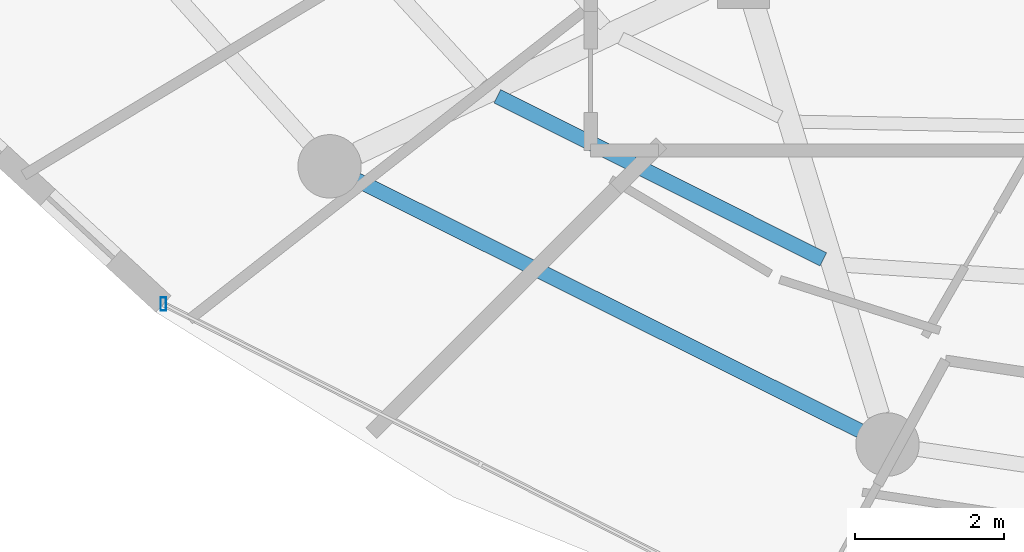
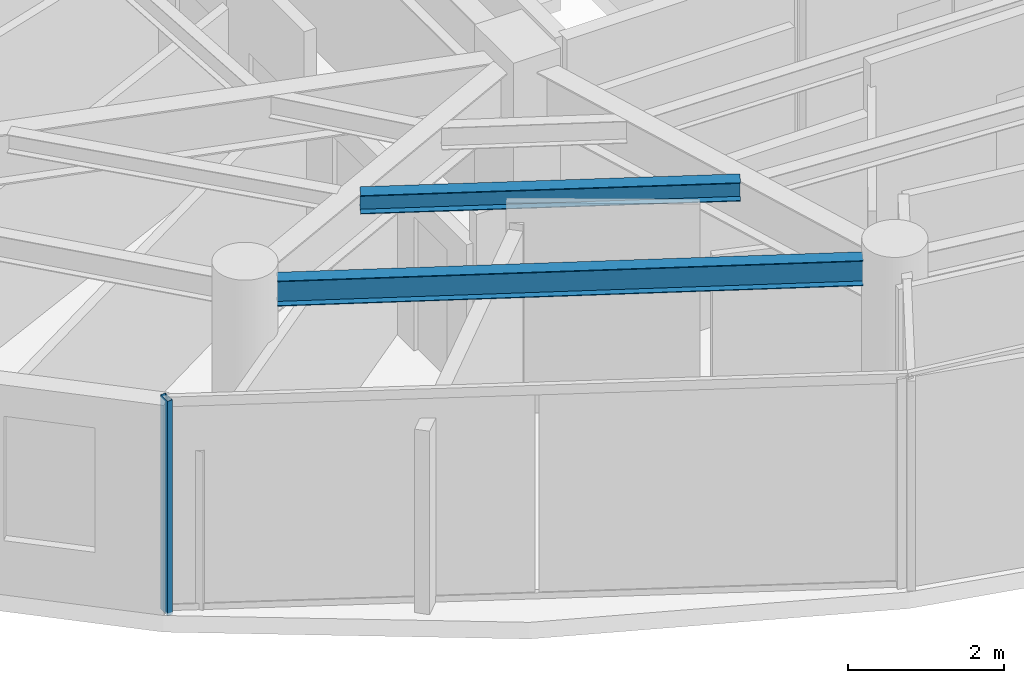
# One storey, part 2 of 29: 2 beams, 1 member, 1 element without a shape of its own.
"""IFC4 building model written with IfcOpenShell, lengths in metres."""

from ifc_helpers import new_model, si_unit, direction, frame, origin, origin_2d, place, context, subcontext, project, spatial, hollow_rectangle, i_section, extrude, material, material_profile, profile_set, type_object, element, aggregate, save


model = new_model("IFC4")

# Units and contexts
model_context = context("Model", 3, precision=1e-05, world=origin(), true_north=direction((0.0, 1.0)))
body_context = subcontext(model_context, "Body", "Model", "MODEL_VIEW")
ifc_project = project(units=[si_unit("LENGTHUNIT", "METRE"), si_unit("AREAUNIT", "SQUARE_METRE"), si_unit("VOLUMEUNIT", "CUBIC_METRE"), si_unit("PLANEANGLEUNIT", "RADIAN"), si_unit("MASSUNIT", "GRAM", prefix="KILO")], contexts=[model_context])

# Site, building, storey
site_placement = place(None, origin())
site = spatial("IfcSite", under=ifc_project, at=site_placement, CompositionType="ELEMENT")
building_placement = place(site_placement, origin())
building = spatial("IfcBuilding", under=site, at=building_placement, Name="Vorneva Point Tower", CompositionType="ELEMENT")
storey_placement = place(building_placement, frame((0.0, 0.0, 273.300048828125)))
storey = spatial("IfcBuildingStorey", under=building, at=storey_placement, Name="L74", CompositionType="ELEMENT", Elevation=273.300048828125)

# Beams
ifc_material_1 = material(Name="Steel S355", Category="steel")
ifc_material_profile_1 = material_profile(ifc_material_1, i_section(OverallWidth=0.199951171875, OverallDepth=0.291015625, WebThickness=0.008056640625, FlangeThickness=0.010986328125, at=origin_2d()), Name="30Sh1")
ifc_profile_set_1 = profile_set([ifc_material_profile_1], Name="Steel S355")
beam_type_1 = type_object("IfcBeamType", Name="BM-SEC-30Sh1", PredefinedType="BEAM", material=ifc_profile_set_1)
beam_1_placement = place(storey_placement, frame((23.95068359375, 14.77685546875, 3.14453125), z_axis=(0.894207228659, -0.447653249975, 0.0), x_axis=(0.447653249975, 0.894207228659, 0.0)))
element("IfcBeam", 1, at=beam_1_placement, inside=storey, type_object=beam_type_1, Name="L74 Secondary Floor Beam 1.11", PredefinedType="BEAM", context=body_context, shape_type="SweptSolid", body=[
    extrude(i_section(OverallWidth=0.199951171875, OverallDepth=0.291015625, WebThickness=0.008056640625, FlangeThickness=0.010986328125, at=origin_2d()), origin(), (0.0, 0.0, 1.0), 4.885986328125),
])
ifc_material_profile_2 = material_profile(ifc_material_1, i_section(OverallWidth=0.198974609375, OverallDepth=0.39599609375, WebThickness=0.007080078125, FlangeThickness=0.010986328125, at=origin_2d()), Name="40B1")
ifc_profile_set_2 = profile_set([ifc_material_profile_2], Name="Steel S355")
beam_type_2 = type_object("IfcBeamType", Name="BM-SPN-40B1", PredefinedType="SPANDREL", material=ifc_profile_set_2)
beam_2_placement = place(storey_placement, frame((22.068115234375, 13.65478515625, 3.092041015625), z_axis=(0.894932011528, -0.446202526599, 0.0), x_axis=(0.446202526599, 0.894932011528, 0.0)))
element("IfcBeam", 2, at=beam_2_placement, inside=storey, type_object=beam_type_2, Name="L74 Perimeter Spandrel Ring Beam 11", PredefinedType="SPANDREL", context=body_context, shape_type="SweptSolid", body=[
    extrude(i_section(OverallWidth=0.198974609375, OverallDepth=0.39599609375, WebThickness=0.007080078125, FlangeThickness=0.010986328125, at=origin_2d()), origin(), (0.0, 0.0, 1.0), 7.535888671875),
])

# Curtain wall, member
ifc_material_2 = material(Name="Pale anodised aluminium", Category="aluminium")
curtain_wall_type = type_object("IfcCurtainWallType", Name="CW-RES-SYS", PredefinedType="NOTDEFINED", material=ifc_material_2)
curtain_wall_placement = place(storey_placement, origin())
curtain_wall = element("IfcCurtainWall", 3, at=curtain_wall_placement, inside=storey, type_object=curtain_wall_type, Name="L74 Unitised Curtain Wall CW-L74-R04", PredefinedType="NOTDEFINED")
ifc_material_profile_3 = material_profile(ifc_material_2, hollow_rectangle(XDim=0.074951171875, YDim=0.179931640625, WallThickness=0.00390625, at=origin_2d()), Name="AL-MUL 180x75x4")
ifc_profile_set_3 = profile_set([ifc_material_profile_3], Name="Pale anodised aluminium")
member_type = type_object("IfcMemberType", Name="CW-MUL-180", PredefinedType="MULLION", material=ifc_profile_set_3)
member_placement = place(storey_placement, frame((19.473876953125, 11.9921875, -0.0400390625), z_axis=(0.0, 0.0, 1.0), x_axis=(1.0, 0.0, 0.0)))
member = element("IfcMember", 4, at=member_placement, type_object=member_type, Name="CW-L74-R04 Mullion 01", PredefinedType="MULLION", context=body_context, shape_type="SweptSolid", body=[
    extrude(hollow_rectangle(XDim=0.074951171875, YDim=0.179931640625, WallThickness=0.00390625, at=origin_2d()), origin(), (0.0, 0.0, 1.0), 3.360107421875),
])
aggregate(curtain_wall, [member])

save(model, "model.ifc")
